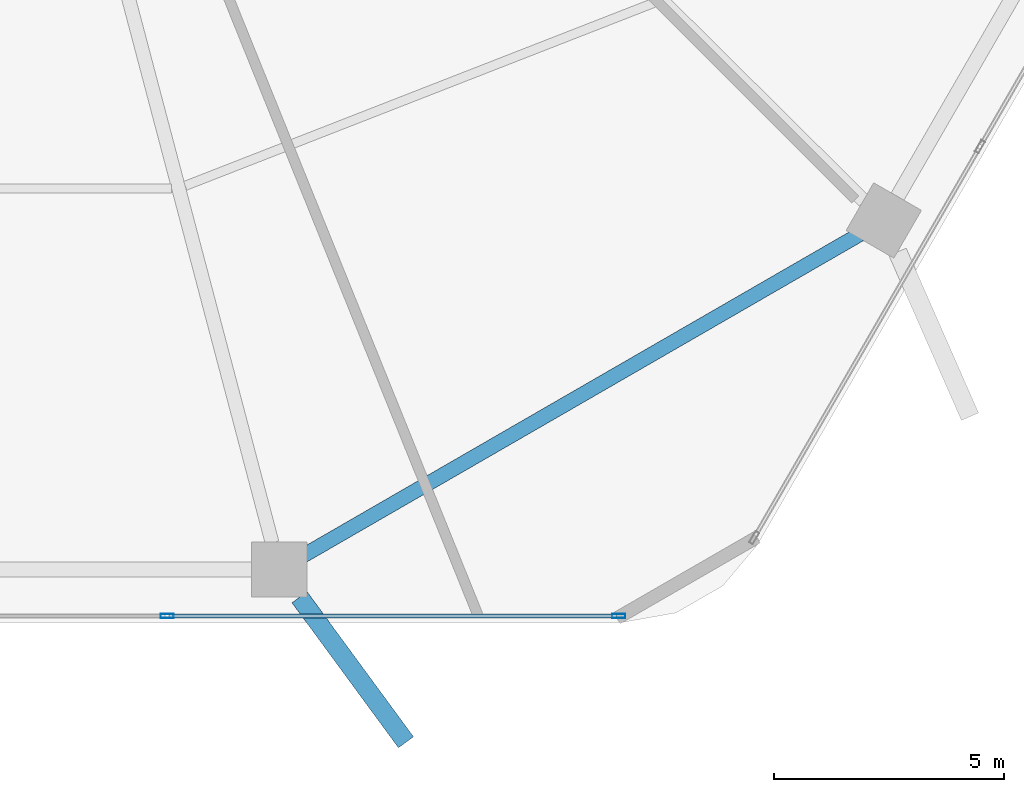
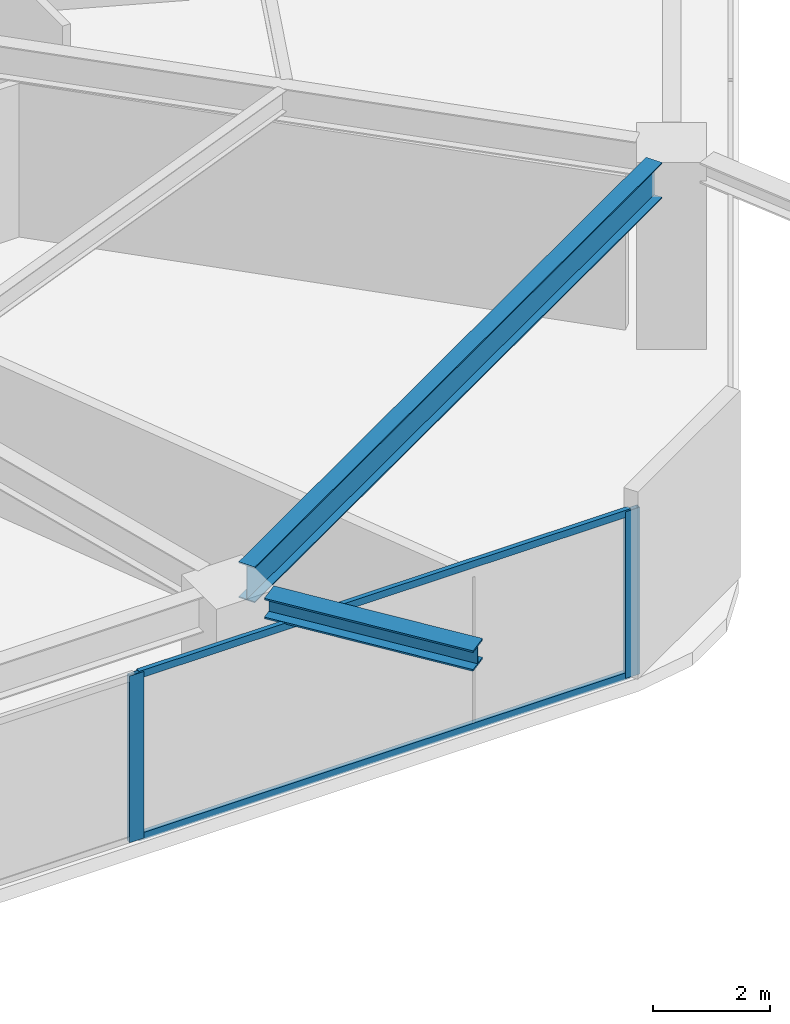
# One storey, part 7 of 25: 4 members, 2 beams, 1 element without a shape of its own.
"""IFC4 building model written with IfcOpenShell, lengths in metres."""

from ifc_helpers import new_model, si_unit, direction, frame, origin, origin_2d, place, context, subcontext, project, spatial, hollow_rectangle, i_section, extrude, material, material_profile, profile_set, type_object, element, aggregate, save


model = new_model("IFC4")

# Units and contexts
model_context = context("Model", 3, precision=1e-05, world=origin(), true_north=direction((0.0, 1.0)))
body_context = subcontext(model_context, "Body", "Model", "MODEL_VIEW")
ifc_project = project(units=[si_unit("LENGTHUNIT", "METRE"), si_unit("AREAUNIT", "SQUARE_METRE"), si_unit("VOLUMEUNIT", "CUBIC_METRE"), si_unit("PLANEANGLEUNIT", "RADIAN"), si_unit("MASSUNIT", "GRAM", prefix="KILO")], contexts=[model_context])

# Site, building, storey
site_placement = place(None, origin())
site = spatial("IfcSite", under=ifc_project, at=site_placement, CompositionType="ELEMENT")
building_placement = place(site_placement, origin())
building = spatial("IfcBuilding", under=site, at=building_placement, Name="Zuhravey Tower", CompositionType="ELEMENT")
storey_placement = place(building_placement, frame((0.0, 0.0, 70.800048828125)))
storey = spatial("IfcBuildingStorey", under=building, at=storey_placement, Name="L17", CompositionType="ELEMENT", Elevation=70.800048828125)

# Curtain wall, members
ifc_material_1 = material(Name="Thermally broken anodised aluminium", Category="aluminium")
curtain_wall_type = type_object("IfcCurtainWallType", Name="School Low-E Unitised Curtain Wall CW1", PredefinedType="NOTDEFINED", material=ifc_material_1)
curtain_wall_placement = place(storey_placement, origin())
curtain_wall = element("IfcCurtainWall", 1, at=curtain_wall_placement, inside=storey, type_object=curtain_wall_type, Name="L17 CW1 CW-L17-F5-1", PredefinedType="NOTDEFINED")
ifc_material_2 = material(Name="Anodised aluminium", Category="aluminium")
ifc_material_profile_1 = material_profile(ifc_material_2, hollow_rectangle(XDim=0.090087890625, YDim=0.284912109375, WallThickness=0.0048828125, at=origin_2d()), Name="ALU-RHS-90x285x5")
ifc_profile_set_1 = profile_set([ifc_material_profile_1], Name="Anodised aluminium")
member_type_1 = type_object("IfcMemberType", Name="Curtain-Wall Mullion 90x180", PredefinedType="MULLION", material=ifc_profile_set_1)
member_1_placement = place(storey_placement, frame((50.75439453125, 3.04150390625, 0.0), z_axis=(0.0, 0.0, 1.0), x_axis=(0.0, -1.0, 0.0)))
member_1 = element("IfcMember", 2, at=member_1_placement, type_object=member_type_1, Name="CW1 mullion 1", PredefinedType="MULLION", context=body_context, shape_type="SweptSolid", body=[
    extrude(hollow_rectangle(XDim=0.090087890625, YDim=0.284912109375, WallThickness=0.0048828125, at=origin_2d()), origin(), (0.0, 0.0, 1.0), 3.491943359375),
])
member_2_placement = place(storey_placement, frame((40.93310546875, 3.04150390625, 0.0), z_axis=(0.0, 0.0, 1.0), x_axis=(0.0, -1.0, 0.0)))
member_2 = element("IfcMember", 3, at=member_2_placement, type_object=member_type_1, Name="CW1 mullion 2", PredefinedType="MULLION", context=body_context, shape_type="SweptSolid", body=[
    extrude(hollow_rectangle(XDim=0.090087890625, YDim=0.284912109375, WallThickness=0.0048828125, at=origin_2d()), origin(), (0.0, 0.0, 1.0), 3.491943359375),
])
ifc_material_profile_2 = material_profile(ifc_material_2, hollow_rectangle(XDim=0.090087890625, YDim=0.14990234375, WallThickness=0.0048828125, at=origin_2d()), Name="ALU-RHS-90x150x5")
ifc_profile_set_2 = profile_set([ifc_material_profile_2], Name="Anodised aluminium")
member_type_2 = type_object("IfcMemberType", Name="Curtain-Wall Transom 90x150", PredefinedType="USERDEFINED", material=ifc_profile_set_2)
member_3_placement = place(storey_placement, frame((50.70947265625, 3.04150390625, 0.044921875), z_axis=(-1.0, 0.0, 0.0), x_axis=(0.0, -1.0, 0.0)))
member_3 = element("IfcMember", 4, at=member_3_placement, type_object=member_type_2, Name="CW1 transom 1.1", ObjectType="TRANSOM", PredefinedType="USERDEFINED", context=body_context, shape_type="SweptSolid", body=[
    extrude(hollow_rectangle(XDim=0.090087890625, YDim=0.14990234375, WallThickness=0.0048828125, at=origin_2d()), origin(), (0.0, 0.0, 1.0), 9.731201171875),
])
member_4_placement = place(storey_placement, frame((50.70947265625, 3.04150390625, 3.447021484375), z_axis=(-1.0, 0.0, 0.0), x_axis=(0.0, -1.0, 0.0)))
member_4 = element("IfcMember", 5, at=member_4_placement, type_object=member_type_2, Name="CW1 transom 1.2", ObjectType="TRANSOM", PredefinedType="USERDEFINED", context=body_context, shape_type="SweptSolid", body=[
    extrude(hollow_rectangle(XDim=0.090087890625, YDim=0.14990234375, WallThickness=0.0048828125, at=origin_2d()), origin(), (0.0, 0.0, 1.0), 9.731201171875),
])
aggregate(curtain_wall, [member_1, member_2, member_3, member_4])

# Beams
ifc_material_3 = material(Name="Steel SM460", Category="steel")
ifc_material_profile_3 = material_profile(ifc_material_3, i_section(OverallWidth=0.406982421875, OverallDepth=0.427978515625, WebThickness=0.02001953125, FlangeThickness=0.034912109375, at=origin_2d()), Name="H-428x407x20x35")
ifc_profile_set_3 = profile_set([ifc_material_profile_3], Name="Steel SM460")
beam_type_1 = type_object("IfcBeamType", Name="Exoskeleton Node Tie Beam H428x407", PredefinedType="BEAM", material=ifc_profile_set_3)
beam_1_placement = place(storey_placement, frame((43.812744140625, 3.4482421875, 3.7060546875), z_axis=(0.591671978423, -0.806178807678, 0.0), x_axis=(0.806178807678, 0.591671978423, 0.0)))
element("IfcBeam", 6, at=beam_1_placement, inside=storey, type_object=beam_type_1, Name="L17 Exoskeleton Node Tie NT1-10", PredefinedType="BEAM", context=body_context, shape_type="SweptSolid", body=[
    extrude(i_section(OverallWidth=0.406982421875, OverallDepth=0.427978515625, WebThickness=0.02001953125, FlangeThickness=0.034912109375, at=origin_2d()), origin(), (0.0, 0.0, 1.0), 3.912841796875),
])
ifc_material_4 = material(Name="Steel SM355", Category="steel")
ifc_material_profile_4 = material_profile(ifc_material_4, i_section(OverallWidth=0.320068359375, OverallDepth=0.75, WebThickness=0.013916015625, FlangeThickness=0.02490234375, at=origin_2d()), Name="H-750x320x14x25")
ifc_profile_set_4 = profile_set([ifc_material_profile_4], Name="Steel SM355")
beam_type_2 = type_object("IfcBeamType", Name="Perimeter Ring Beam H750x320", PredefinedType="BEAM", material=ifc_profile_set_4)
beam_2_placement = place(storey_placement, frame((43.89208984375, 4.35302734375, 3.544921875), z_axis=(0.866029969761, 0.499992091414, 0.0), x_axis=(-0.499992091414, 0.866029969761, 0.0)))
element("IfcBeam", 7, at=beam_2_placement, inside=storey, type_object=beam_type_2, Name="L17 PB1 BM-L17-PB-10", PredefinedType="BEAM", context=body_context, shape_type="SweptSolid", body=[
    extrude(i_section(OverallWidth=0.320068359375, OverallDepth=0.75, WebThickness=0.013916015625, FlangeThickness=0.02490234375, at=origin_2d()), origin(), (0.0, 0.0, 1.0), 13.977294921875),
])

save(model, "model.ifc")
